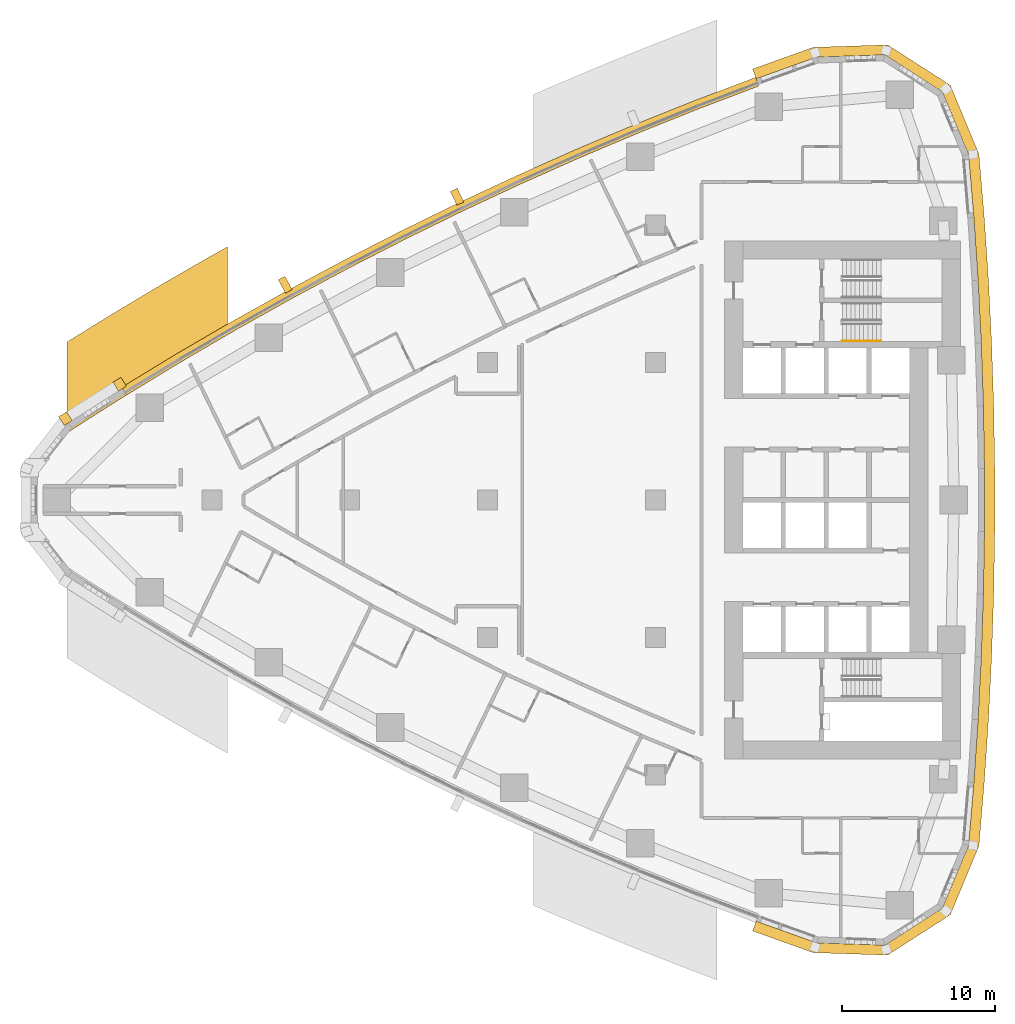
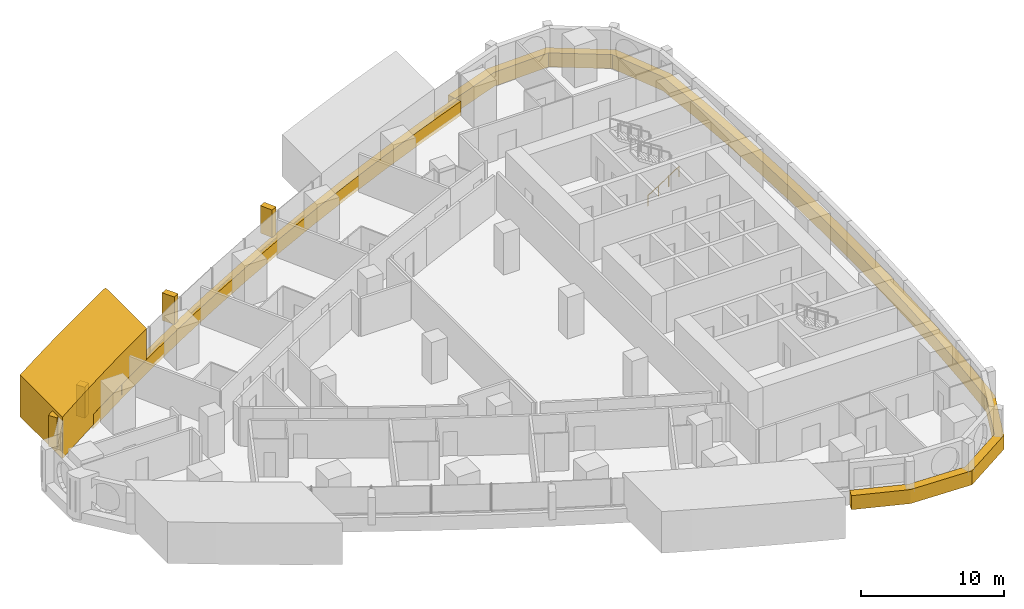
# One storey, part 17 of 19: 7 coverings, 1 railing.
"""IFC4 building model written with IfcOpenShell, lengths in metres."""

from ifc_helpers import new_model, si_unit, direction, frame, frame_2d, origin, origin_2d, place, context, subcontext, project, spatial, polyline, rectangle, circle, outline, extrude, material, layer, layer_set, type_object, element, save


model = new_model("IFC4")

# Units and contexts
model_context = context("Model", 3, precision=1e-05, world=origin(), true_north=direction((0.0, 1.0)))
body_context = subcontext(model_context, "Body", "Model", "MODEL_VIEW")
ifc_project = project(units=[si_unit("LENGTHUNIT", "METRE"), si_unit("AREAUNIT", "SQUARE_METRE"), si_unit("VOLUMEUNIT", "CUBIC_METRE"), si_unit("PLANEANGLEUNIT", "RADIAN"), si_unit("MASSUNIT", "GRAM", prefix="KILO")], contexts=[model_context])

# Site, building, storey
site_placement = place(None, origin())
site = spatial("IfcSite", under=ifc_project, at=site_placement, CompositionType="ELEMENT")
building_placement = place(site_placement, origin())
building = spatial("IfcBuilding", under=site, at=building_placement, Name="Ostrand Prow Hotel Tower", CompositionType="ELEMENT")
storey_placement = place(building_placement, frame((0.0, 0.0, 60.89990234375)))
storey = spatial("IfcBuildingStorey", under=building, at=storey_placement, Name="L13", CompositionType="ELEMENT", Elevation=60.89990234375)

# Coverings
ifc_material_1 = material(Name="Bronze anodised aluminium cladding", Category="aluminium")
ifc_layer_1 = layer(ifc_material_1, 0.60009765625)
ifc_layer_set_1 = layer_set([ifc_layer_1], Name="Bronze anodised aluminium cladding")
covering_type_1 = type_object("IfcCoveringType", Name="Bronze spandrel band 1200x600", PredefinedType="CLADDING", material=ifc_layer_set_1)
covering_1_placement = place(storey_placement, frame((0.0, 0.0, -0.2998046875)))
element("IfcCovering", 1, at=covering_1_placement, inside=storey, type_object=covering_type_1, Name="Spandrel band N1", PredefinedType="CLADDING", context=body_context, shape_type="SweptSolid", body=[
    extrude(outline(polyline([(51.5361328125, 27.6328125), (47.607666015625, 26.142578125), (43.70751953125, 24.580078125), (39.83642578125, 22.946044921875), (35.996337890625, 21.2412109375), (32.188232421875, 19.4658203125), (28.413330078125, 17.62060546875), (24.673095703125, 15.70654296875), (20.968994140625, 13.723876953125), (17.301513671875, 11.673095703125), (13.672607421875, 9.555419921875), (10.08349609375, 7.371337890625), (10.39990234375, 6.86181640625), (13.97998046875, 9.0400390625), (17.59912109375, 11.152099609375), (21.2568359375, 13.197509765625), (24.951416015625, 15.1748046875), (28.681884765625, 17.083984375), (32.44677734375, 18.92431640625), (36.244873046875, 20.695068359375), (40.074951171875, 22.3955078125), (43.935791015625, 24.025146484375), (47.82568359375, 25.58349609375), (51.743896484375, 27.070068359375), (51.5361328125, 27.6328125)])), origin(), (0.0, 0.0, 1.0), 1.199951171875),
])
covering_2_placement = place(storey_placement, frame((0.0, 0.0, -0.2998046875)))
element("IfcCovering", 2, at=covering_2_placement, inside=storey, type_object=covering_type_1, Name="Spandrel band back 1", PredefinedType="CLADDING", context=body_context, shape_type="SweptSolid", body=[
    extrude(outline(polyline([(51.335205078125, -28.177001953125), (55.300537109375, -29.5986328125), (60.16796875, -29.758056640625), (64.26318359375, -27.123046875), (66.13525390625, -22.627197265625), (66.48046875, -18.521728515625), (66.756591796875, -14.411376953125), (66.964111328125, -10.296630859375), (67.102294921875, -6.17919921875), (67.17138671875, -2.059814453125), (67.17138671875, 2.059814453125), (67.102294921875, 6.17919921875), (66.964111328125, 10.296630859375), (66.756591796875, 14.411376953125), (66.48046875, 18.521728515625), (66.13525390625, 22.627197265625), (64.26318359375, 27.123046875), (60.16796875, 29.758056640625), (55.300537109375, 29.5986328125), (51.335205078125, 28.177001953125), (51.57080078125, 27.5390625), (55.524169921875, 28.956298828125), (59.98681640625, 29.1025390625), (63.74169921875, 26.6865234375), (65.4580078125, 22.564453125), (65.802490234375, 18.470458984375), (66.077880859375, 14.371337890625), (66.28466796875, 10.26806640625), (66.422607421875, 6.162109375), (66.491455078125, 2.05419921875), (66.491455078125, -2.05419921875), (66.422607421875, -6.162109375), (66.28466796875, -10.26806640625), (66.077880859375, -14.371337890625), (65.802490234375, -18.470458984375), (65.4580078125, -22.564453125), (63.74169921875, -26.6865234375), (59.98681640625, -29.1025390625), (55.524169921875, -28.956298828125), (51.57080078125, -27.5390625), (51.335205078125, -28.177001953125)])), origin(), (0.0, 0.0, 1.0), 1.199951171875),
])
ifc_material_2 = material(Name="Limestone cladding", Category="masonry")
ifc_layer_2 = layer(ifc_material_2, 5.0)
ifc_layer_set_2 = layer_set([ifc_layer_2], Name="Limestone cladding")
covering_type_2 = type_object("IfcCoveringType", Name="Portal jamb pilaster limestone", PredefinedType="CLADDING", material=ifc_layer_set_2)
covering_3_placement = place(storey_placement, origin())
element("IfcCovering", 3, at=covering_3_placement, inside=storey, type_object=covering_type_2, Name="Portal jamb NA L13", PredefinedType="CLADDING", context=body_context, shape_type="SweptSolid", body=[
    extrude(outline(polyline([(6.5, 4.3837890625), (7.45458984375, 5.00048828125), (8.4091796875, 5.610595703125), (9.363525390625, 6.214111328125), (10.318115234375, 6.810791015625), (11.272705078125, 7.401123046875), (12.227294921875, 7.98486328125), (13.181884765625, 8.562255859375), (14.136474609375, 9.13330078125), (15.0908203125, 9.697998046875), (16.04541015625, 10.25634765625), (17.0, 10.80859375), (17.0, 16.556640625), (16.04541015625, 16.020263671875), (15.0908203125, 15.4775390625), (14.136474609375, 14.92919921875), (13.181884765625, 14.37451171875), (12.227294921875, 13.81396484375), (11.272705078125, 13.247314453125), (10.318115234375, 12.67431640625), (9.363525390625, 12.09521484375), (8.4091796875, 11.509521484375), (7.45458984375, 10.917724609375), (6.5, 10.319580078125), (6.5, 4.3837890625)])), origin(), (0.0, 0.0, 1.0), 3.550048828125),
])
ifc_material_3 = material(Name="Limestone cladding", Category="masonry")
ifc_layer_3 = layer(ifc_material_3, 0.5)
ifc_layer_set_3 = layer_set([ifc_layer_3], Name="Limestone cladding")
covering_type_3 = type_object("IfcCoveringType", Name="Precast stone fin 500x900", PredefinedType="CLADDING", material=ifc_layer_set_3)
for number, where, z_axis, x_axis, name in (
    (4, (32.231201171875, 19.37548828125, 0.900146484375), (0.0, 0.0, 1.0), (-0.430634686673, 0.902526324621, 0.0), "Stone fin N 6"),
    (5, (21.016845703125, 13.635986328125, 0.900146484375), (0.0, 0.0, 1.0), (-0.480014960696, 0.877260302025, 0.0), "Stone fin N 9"),
):
    element("IfcCovering", number, at=place(storey_placement, frame(where, z_axis=z_axis, x_axis=x_axis)), inside=storey, type_object=covering_type_3, Name=name, PredefinedType="CLADDING", context=body_context, shape_type="SweptSolid", body=[
        extrude(rectangle(XDim=1.0, YDim=0.5, at=frame_2d((0.5, 0.0))), origin(), (0.0, 0.0, 1.0), 2.349853515625),
    ])
ifc_material_4 = material(Name="Limestone cladding", Category="masonry")
ifc_layer_4 = layer(ifc_material_4, 0.60009765625)
ifc_layer_set_4 = layer_set([ifc_layer_4], Name="Limestone cladding")
covering_type_4 = type_object("IfcCoveringType", Name="Precast stone prow rib 600x600", PredefinedType="CLADDING", material=ifc_layer_set_4)
for number, where, z_axis, x_axis, name in (
    (6, (10.13623046875, 7.286376953125, 0.60009765625), (0.0, 0.0, 1.0), (-0.527738148304, 0.849407114889, 0.0), "Stone prow rib 1"),
    (7, (6.589111328125, 5.03759765625, 0.60009765625), (0.0, 0.0, 1.0), (-0.543295944087, 0.839541253983, 0.0), "Stone prow rib 2"),
):
    element("IfcCovering", number, at=place(storey_placement, frame(where, z_axis=z_axis, x_axis=x_axis)), inside=storey, type_object=covering_type_4, Name=name, PredefinedType="CLADDING", context=body_context, shape_type="SweptSolid", body=[
        extrude(rectangle(XDim=0.679931640625, YDim=0.60009765625, at=frame_2d((0.33984375, 0.0))), origin(), (0.0, 0.0, 1.0), 2.64990234375),
    ])

# Railing
ifc_material_5 = material(Name="Stainless steel", Category="steel")
railing_type = type_object("IfcRailingType", Name="Stair handrail 900", PredefinedType="HANDRAIL", material=ifc_material_5)
railing_placement = place(storey_placement, frame((57.199951171875, 10.39990234375, 0.177490234375)))
element("IfcRailing", 8, at=railing_placement, inside=storey, type_object=railing_type, Name="L13 ST1C stair handrail 1", PredefinedType="HANDRAIL", context=body_context, shape_type="SweptSolid", body=[
    extrude(circle(Radius=0.02392578125, at=origin_2d()), frame((0.0, 0.0, 0.8759765625), z_axis=(0.84456994832, 0.0, 0.535445237532), x_axis=(0.0, 1.0, 0.0)), (0.0, 0.0, 1.0), 2.98388671875),
    extrude(circle(Radius=0.02099609375, at=origin_2d()), origin(), (0.0, 0.0, 1.0), 0.851806640625),
    extrude(circle(Radius=0.02099609375, at=origin_2d()), frame((0.840087890625, 0.0, 0.532470703125)), (0.0, 0.0, 1.0), 0.851806640625),
    extrude(circle(Radius=0.02099609375, at=origin_2d()), frame((1.679931640625, 0.0, 1.065185546875)), (0.0, 0.0, 1.0), 0.851806640625),
    extrude(circle(Radius=0.02099609375, at=origin_2d()), frame((2.52001953125, 0.0, 1.59765625)), (0.0, 0.0, 1.0), 0.851806640625),
])

save(model, "model.ifc")
